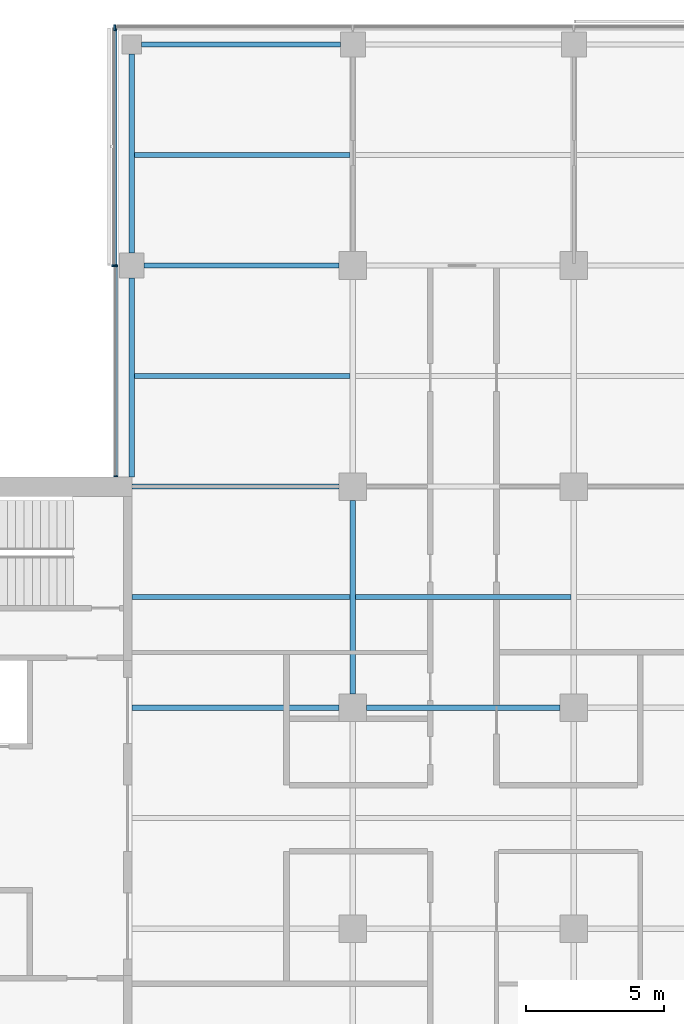
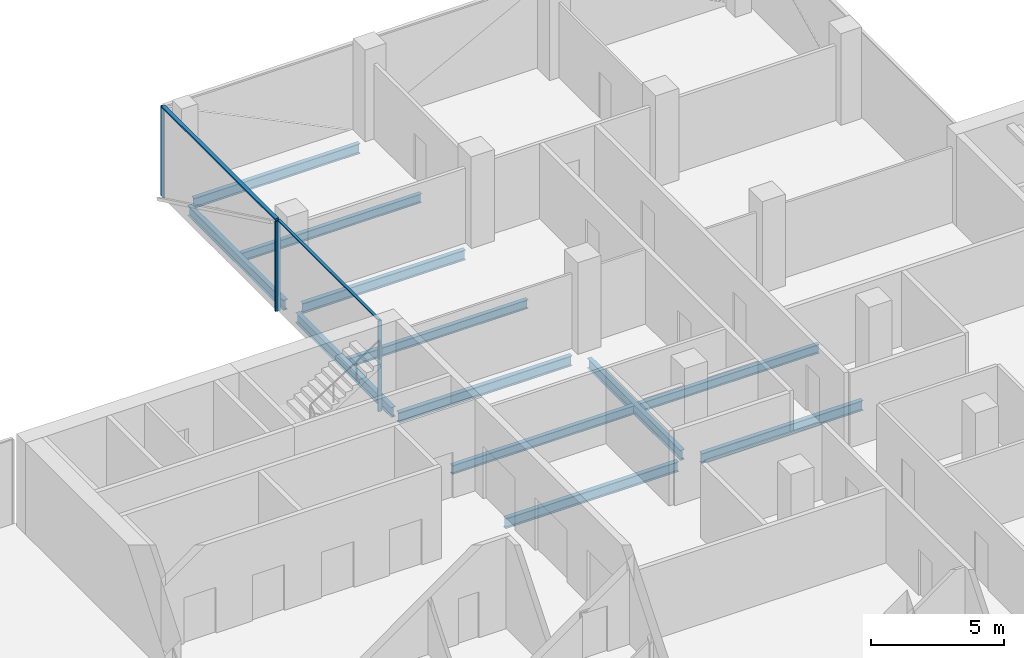
# One storey, part 8 of 22: 12 beams, 6 members, 3 elements without a shape of their own.
"""IFC4 building model written with IfcOpenShell, lengths in metres."""

from ifc_helpers import new_model, si_unit, direction, frame, origin, origin_2d, place, context, subcontext, project, spatial, rectangle, i_section, extrude, material, material_profile, profile_set, type_object, element, aggregate, save


model = new_model("IFC4")

# Units and contexts
model_context = context("Model", 3, precision=1e-05, world=origin(), true_north=direction((0.0, 1.0)))
body_context = subcontext(model_context, "Body", "Model", "MODEL_VIEW")
ifc_project = project(units=[si_unit("LENGTHUNIT", "METRE"), si_unit("AREAUNIT", "SQUARE_METRE"), si_unit("VOLUMEUNIT", "CUBIC_METRE"), si_unit("PLANEANGLEUNIT", "RADIAN"), si_unit("MASSUNIT", "GRAM", prefix="KILO")], contexts=[model_context])

# Site, building, storey
site_placement = place(None, origin())
site = spatial("IfcSite", under=ifc_project, at=site_placement, CompositionType="ELEMENT")
building_placement = place(site_placement, origin())
building = spatial("IfcBuilding", under=site, at=building_placement, Name="Crosswind Convention Tower", CompositionType="ELEMENT")
storey_placement = place(building_placement, frame((0.0, 0.0, 129.5)))
storey = spatial("IfcBuildingStorey", under=building, at=storey_placement, Name="L26", CompositionType="ELEMENT", Elevation=129.5)

# Beams
ifc_material_1 = material(Name="Steel S355", Category="steel")
ifc_material_profile_1 = material_profile(ifc_material_1, i_section(OverallWidth=0.18994140625, OverallDepth=0.45361328125, WebThickness=0.008544921875, FlangeThickness=0.0126953125, FilletRadius=0.01025390625, at=origin_2d()), Name="UB 457x191x67")
ifc_profile_set_1 = profile_set([ifc_material_profile_1], Name="Steel S355")
beam_type_1 = type_object("IfcBeamType", Name="Edge beam UB 457x191x67", PredefinedType="SPANDREL", material=ifc_profile_set_1)
for number, where, z_axis, x_axis, name in (
    (1, (113.0, 112.35009765625, -0.52685546875), (0.0, 1.0, 0.0), (-1.0, 0.0, 0.0), "B16 L26 edge beam 8"),
    (2, (113.0, 120.449951171875, -0.52685546875), (0.0, 1.0, 0.0), (-1.0, 0.0, 0.0), "B16 L26 edge beam 9"),
    (3, (113.35009765625, 128.0, -0.52685546875), (1.0, 0.0, 0.0), (0.0, 1.0, 0.0), "B16 L26 edge beam 11"),
):
    element("IfcBeam", number, at=place(storey_placement, frame(where, z_axis=z_axis, x_axis=x_axis)), inside=storey, type_object=beam_type_1, Name=name, PredefinedType="SPANDREL", context=body_context, shape_type="SweptSolid", body=[
        extrude(i_section(OverallWidth=0.18994140625, OverallDepth=0.45361328125, WebThickness=0.008544921875, FlangeThickness=0.0126953125, FilletRadius=0.01025390625, at=origin_2d()), origin(), (0.0, 0.0, 1.0), 7.199951171875),
    ])
ifc_material_profile_2 = material_profile(ifc_material_1, i_section(OverallWidth=0.19140625, OverallDepth=0.460205078125, WebThickness=0.010009765625, FlangeThickness=0.01611328125, FilletRadius=0.01025390625, at=origin_2d()), Name="UB 457x191x82")
ifc_profile_set_2 = profile_set([ifc_material_profile_2], Name="Steel S355")
beam_type_2 = type_object("IfcBeamType", Name="Girder UB 457x191x82", PredefinedType="BEAM", material=ifc_profile_set_2)
beam_1_placement = place(storey_placement, frame((113.449951171875, 120.0, -0.530029296875), z_axis=(1.0, 0.0, 0.0), x_axis=(0.0, 1.0, 0.0)))
element("IfcBeam", 4, at=beam_1_placement, inside=storey, type_object=beam_type_2, Name="B3 L26 girder 2", PredefinedType="BEAM", context=body_context, shape_type="SweptSolid", body=[
    extrude(i_section(OverallWidth=0.19140625, OverallDepth=0.460205078125, WebThickness=0.010009765625, FlangeThickness=0.01611328125, FilletRadius=0.01025390625, at=origin_2d()), origin(), (0.0, 0.0, 1.0), 7.050048828125),
])
for number, where, z_axis, x_axis, name in (
    (5, (121.0, 104.5, -0.530029296875), (0.0, 1.0, 0.0), (-1.0, 0.0, 0.0), "B3 L26 girder 7"),
    (6, (121.5, 104.0, -0.530029296875), (1.0, 0.0, 0.0), (0.0, 1.0, 0.0), "B3 L26 girder 13"),
):
    element("IfcBeam", number, at=place(storey_placement, frame(where, z_axis=z_axis, x_axis=x_axis)), inside=storey, type_object=beam_type_2, Name=name, PredefinedType="BEAM", context=body_context, shape_type="SweptSolid", body=[
        extrude(i_section(OverallWidth=0.19140625, OverallDepth=0.460205078125, WebThickness=0.010009765625, FlangeThickness=0.01611328125, FilletRadius=0.01025390625, at=origin_2d()), origin(), (0.0, 0.0, 1.0), 7.0),
    ])
ifc_material_profile_3 = material_profile(ifc_material_1, i_section(OverallWidth=0.19189453125, OverallDepth=0.463623046875, WebThickness=0.010498046875, FlangeThickness=0.017578125, FilletRadius=0.01025390625, at=origin_2d()), Name="UB 457x191x90")
ifc_profile_set_3 = profile_set([ifc_material_profile_3], Name="Steel S355")
beam_type_3 = type_object("IfcBeamType", Name="Girder at core wall UB 457x191x90", PredefinedType="BEAM", material=ifc_profile_set_3)
for number, where, z_axis, x_axis, name in (
    (7, (113.0, 104.0, -0.53173828125), (1.0, 0.0, 0.0), (0.0, 1.0, 0.0), "B24 L26 girder at core wall 5"),
    (8, (113.0, 112.0, -0.53173828125), (1.0, 0.0, 0.0), (0.0, 1.0, 0.0), "B24 L26 girder at core wall 6"),
):
    element("IfcBeam", number, at=place(storey_placement, frame(where, z_axis=z_axis, x_axis=x_axis)), inside=storey, type_object=beam_type_3, Name=name, PredefinedType="BEAM", context=body_context, shape_type="SweptSolid", body=[
        extrude(i_section(OverallWidth=0.19189453125, OverallDepth=0.463623046875, WebThickness=0.010498046875, FlangeThickness=0.017578125, FilletRadius=0.01025390625, at=origin_2d()), origin(), (0.0, 0.0, 1.0), 7.5),
    ])

# Curtain wall, members
ifc_material_2 = material(Name="Aluminium unitised curtain wall", Category="aluminium")
curtain_wall_type_1 = type_object("IfcCurtainWallType", Name="CORE END SLOT WALL 160", PredefinedType="USERDEFINED", material=ifc_material_2)
curtain_wall_1_placement = place(storey_placement, origin())
curtain_wall_1 = element("IfcCurtainWall", 9, at=curtain_wall_1_placement, inside=storey, type_object=curtain_wall_type_1, Name="CW6 L26 N-W.1-2 slot", ObjectType="UNITISED", PredefinedType="USERDEFINED")
ifc_material_3 = material(Name="Aluminium mullion", Category="aluminium")
ifc_material_profile_4 = material_profile(ifc_material_3, rectangle(XDim=0.159912109375, YDim=0.050048828125, at=origin_2d()), Name="AL 160X50")
ifc_profile_set_4 = profile_set([ifc_material_profile_4], Name="Aluminium mullion")
member_type_1 = type_object("IfcMemberType", Name="MULLION 50X160", PredefinedType="MULLION", material=ifc_profile_set_4)
member_1_placement = place(storey_placement, frame((112.419921875, 119.97509765625, -0.300048828125), z_axis=(0.0, 0.0, 1.0), x_axis=(-1.0, 0.0, 0.0)))
member_1 = element("IfcMember", 10, at=member_1_placement, type_object=member_type_1, Name="CW6 mullion 1", PredefinedType="MULLION", context=body_context, shape_type="SweptSolid", body=[
    extrude(rectangle(XDim=0.159912109375, YDim=0.050048828125, at=origin_2d()), origin(), (0.0, 0.0, 1.0), 4.150146484375),
])
member_2_placement = place(storey_placement, frame((112.419921875, 112.375, -0.300048828125), z_axis=(0.0, 0.0, 1.0), x_axis=(-1.0, 0.0, 0.0)))
member_2 = element("IfcMember", 11, at=member_2_placement, type_object=member_type_1, Name="CW6 mullion 2", PredefinedType="MULLION", context=body_context, shape_type="SweptSolid", body=[
    extrude(rectangle(XDim=0.159912109375, YDim=0.050048828125, at=origin_2d()), origin(), (0.0, 0.0, 1.0), 4.150146484375),
])

# Curtain wall, member
curtain_wall_type_2 = type_object("IfcCurtainWallType", Name="OFFICE UNITISED WALL 220", PredefinedType="USERDEFINED", material=ifc_material_2)
curtain_wall_2_placement = place(storey_placement, origin())
curtain_wall_2 = element("IfcCurtainWall", 12, at=curtain_wall_2_placement, inside=storey, type_object=curtain_wall_type_2, Name="CW3 L26 N-TIP 1", ObjectType="UNITISED", PredefinedType="USERDEFINED")
ifc_material_profile_5 = material_profile(ifc_material_3, rectangle(XDim=0.219970703125, YDim=0.070068359375, at=origin_2d()), Name="AL 220X70")
ifc_profile_set_5 = profile_set([ifc_material_profile_5], Name="Aluminium mullion")
member_type_2 = type_object("IfcMemberType", Name="MULLION 70X220", PredefinedType="MULLION", material=ifc_profile_set_5)
member_3_placement = place(storey_placement, frame((112.389892578125, 128.610107421875, -0.300048828125), z_axis=(0.0, 0.0, 1.0), x_axis=(0.0, 1.0, 0.0)))
member_3 = element("IfcMember", 13, at=member_3_placement, type_object=member_type_2, Name="CW3 mullion 4", PredefinedType="MULLION", context=body_context, shape_type="SweptSolid", body=[
    extrude(rectangle(XDim=0.219970703125, YDim=0.070068359375, at=origin_2d()), origin(), (0.0, 0.0, 1.0), 4.130126953125),
])
aggregate(curtain_wall_2, [member_3])

curtain_wall_3_placement = place(storey_placement, origin())
curtain_wall_3 = element("IfcCurtainWall", 14, at=curtain_wall_3_placement, inside=storey, type_object=curtain_wall_type_2, Name="CW3 L26 N-W 1", ObjectType="UNITISED", PredefinedType="USERDEFINED")
member_4_placement = place(storey_placement, frame((112.389892578125, 120.0, -0.300048828125), z_axis=(0.0, 0.0, 1.0), x_axis=(-1.0, 0.0, 0.0)))
member_4 = element("IfcMember", 15, at=member_4_placement, type_object=member_type_2, Name="CW3 mullion 2", PredefinedType="MULLION", context=body_context, shape_type="SweptSolid", body=[
    extrude(rectangle(XDim=0.219970703125, YDim=0.070068359375, at=origin_2d()), origin(), (0.0, 0.0, 1.0), 4.130126953125),
])

# Beams
ifc_material_profile_6 = material_profile(ifc_material_1, i_section(OverallWidth=0.177734375, OverallDepth=0.406494140625, WebThickness=0.0078125, FlangeThickness=0.0126953125, FilletRadius=0.01025390625, at=origin_2d()), Name="UB 406x178x60")
ifc_profile_set_6 = profile_set([ifc_material_profile_6], Name="Steel S355")
beam_type_4 = type_object("IfcBeamType", Name="Secondary beam UB 406x178x60", PredefinedType="JOIST", material=ifc_profile_set_6)
beam_2_placement = place(storey_placement, frame((113.0, 108.0, -0.503173828125), z_axis=(1.0, 0.0, 0.0), x_axis=(0.0, 1.0, 0.0)))
element("IfcBeam", 16, at=beam_2_placement, inside=storey, type_object=beam_type_4, Name="B10 L26 secondary beam 6", PredefinedType="JOIST", context=body_context, shape_type="SweptSolid", body=[
    extrude(i_section(OverallWidth=0.177734375, OverallDepth=0.406494140625, WebThickness=0.0078125, FlangeThickness=0.0126953125, FilletRadius=0.01025390625, at=origin_2d()), origin(), (0.0, 0.0, 1.0), 7.904296875),
])
for number, where, z_axis, x_axis, name in (
    (17, (113.094970703125, 116.0, -0.503173828125), (1.0, 0.0, 0.0), (0.0, 1.0, 0.0), "B10 L26 secondary beam 9"),
    (18, (113.094970703125, 124.0, -0.503173828125), (1.0, 0.0, 0.0), (0.0, 1.0, 0.0), "B10 L26 secondary beam 10"),
):
    element("IfcBeam", number, at=place(storey_placement, frame(where, z_axis=z_axis, x_axis=x_axis)), inside=storey, type_object=beam_type_4, Name=name, PredefinedType="JOIST", context=body_context, shape_type="SweptSolid", body=[
        extrude(i_section(OverallWidth=0.177734375, OverallDepth=0.406494140625, WebThickness=0.0078125, FlangeThickness=0.0126953125, FilletRadius=0.01025390625, at=origin_2d()), origin(), (0.0, 0.0, 1.0), 7.809326171875),
    ])
beam_3_placement = place(storey_placement, frame((121.095703125, 108.0, -0.503173828125), z_axis=(1.0, 0.0, 0.0), x_axis=(0.0, 1.0, 0.0)))
element("IfcBeam", 19, at=beam_3_placement, inside=storey, type_object=beam_type_4, Name="B10 L26 secondary beam 15", PredefinedType="JOIST", context=body_context, shape_type="SweptSolid", body=[
    extrude(i_section(OverallWidth=0.177734375, OverallDepth=0.406494140625, WebThickness=0.0078125, FlangeThickness=0.0126953125, FilletRadius=0.01025390625, at=origin_2d()), origin(), (0.0, 0.0, 1.0), 7.80859375),
])

# Member
ifc_material_4 = material(Name="Aluminium transom", Category="aluminium")
ifc_material_profile_7 = material_profile(ifc_material_4, rectangle(XDim=0.1201171875, YDim=0.050048828125, at=origin_2d()), Name="AL 120X50")
ifc_profile_set_7 = profile_set([ifc_material_profile_7], Name="Aluminium transom")
member_type_3 = type_object("IfcMemberType", Name="TRANSOM 50X120", PredefinedType="USERDEFINED", material=ifc_profile_set_7)
member_5_placement = place(storey_placement, frame((112.419921875, 119.949951171875, 3.875), z_axis=(0.0, -1.0, 0.0), x_axis=(1.0, 0.0, 0.0)))
member_5 = element("IfcMember", 20, at=member_5_placement, type_object=member_type_3, Name="CW6 transom", ObjectType="TRANSOM", PredefinedType="USERDEFINED", context=body_context, shape_type="SweptSolid", body=[
    extrude(rectangle(XDim=0.1201171875, YDim=0.050048828125, at=origin_2d()), origin(), (0.0, 0.0, 1.0), 7.550048828125),
])

aggregate(curtain_wall_1, [member_1, member_2, member_5])

ifc_material_profile_8 = material_profile(ifc_material_4, rectangle(XDim=0.159912109375, YDim=0.070068359375, at=origin_2d()), Name="AL 160X70")
ifc_profile_set_8 = profile_set([ifc_material_profile_8], Name="Aluminium transom")
member_type_4 = type_object("IfcMemberType", Name="TRANSOM 70X160", PredefinedType="USERDEFINED", material=ifc_profile_set_8)
member_6_placement = place(storey_placement, frame((112.389892578125, 128.574951171875, 3.864990234375), z_axis=(0.0, -1.0, 0.0), x_axis=(1.0, 0.0, 0.0)))
member_6 = element("IfcMember", 21, at=member_6_placement, type_object=member_type_4, Name="CW3 transom", ObjectType="TRANSOM", PredefinedType="USERDEFINED", context=body_context, shape_type="SweptSolid", body=[
    extrude(rectangle(XDim=0.159912109375, YDim=0.070068359375, at=origin_2d()), origin(), (0.0, 0.0, 1.0), 8.5400390625),
])

aggregate(curtain_wall_3, [member_4, member_6])

save(model, "model.ifc")
